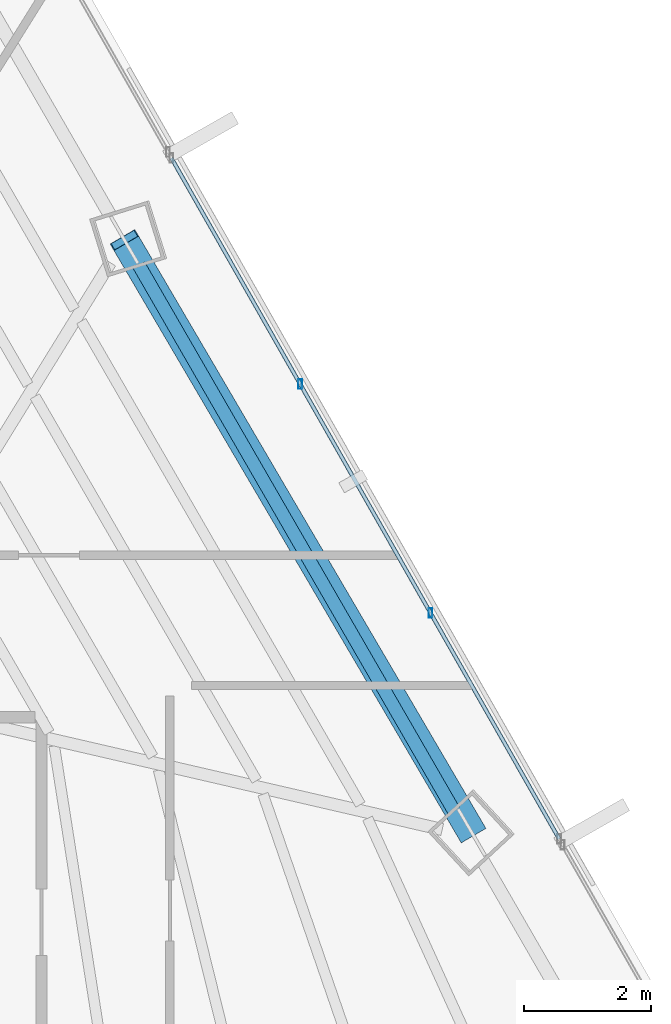
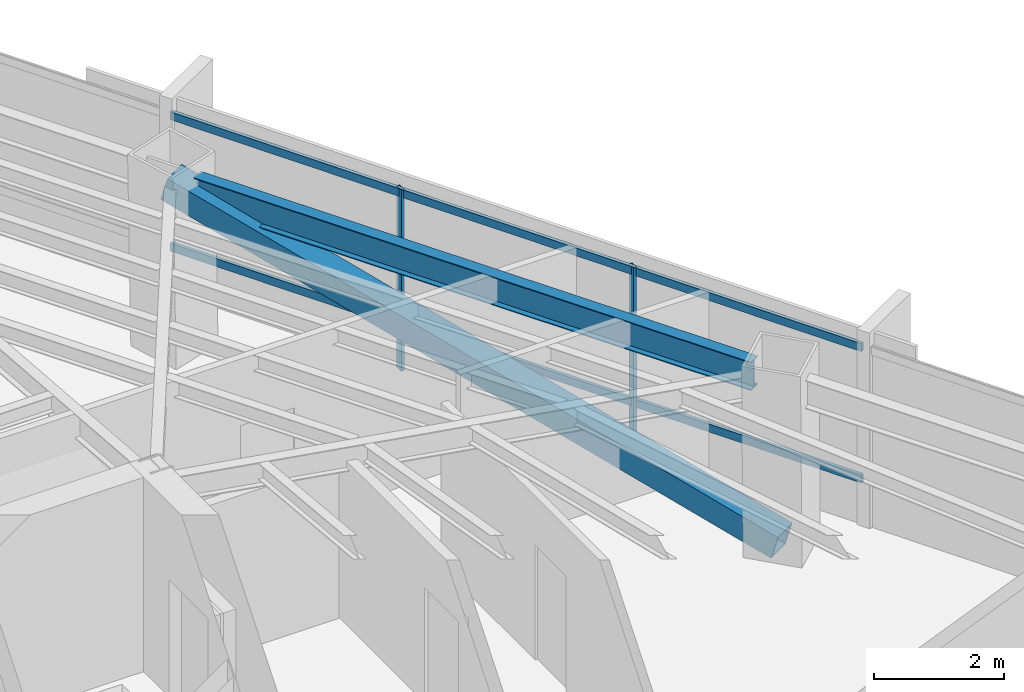
# One storey, part 25 of 39: 5 members, 1 beam, 1 element without a shape of its own.
"""IFC4 building model written with IfcOpenShell, lengths in metres."""

import ifcopenshell
import ifcopenshell.guid

model = None  # the IFC model being written
_history = None  # IfcOwnerHistory: only IFC2X3 demands one
_inside = {}  # id of a spatial element -> (the spatial element, [elements in it])
_under = {}  # id of a project, library or spatial element -> (it, [spatial elements below it])
_declared = {}  # id of a project -> (the project, [libraries it declares])
_typed = {}  # id of a type object -> (the type object, [elements of that type])
_made_of = {}  # id of a material, layer set ... -> (it, [elements and type objects made of it])


def new_model(schema):
    """Start an empty IFC model of exactly this schema.

    Asked for "IFC4X3", IfcOpenShell would pick the latest addendum, in which some entities
    have other attributes; the version numbers below select the first issue.
    IFC2X3 requires an IfcOwnerHistory on every rooted entity: one is made here for all.
    """
    global model, _history
    if schema == "IFC4X3":
        model = ifcopenshell.file(schema_version=(4, 3, 0, 0))
    else:
        model = ifcopenshell.file(schema=schema)
    _inside.clear()
    _under.clear()
    _declared.clear()
    _typed.clear()
    _made_of.clear()
    _history = None
    if model.schema == "IFC2X3":
        org = make("IfcOrganization", Name="unknown")
        user = make(
            "IfcPersonAndOrganization",
            ThePerson=make("IfcPerson", FamilyName="unknown"),
            TheOrganization=org,
        )
        app = make(
            "IfcApplication",
            ApplicationDeveloper=org,
            Version="unknown",
            ApplicationFullName="unknown",
            ApplicationIdentifier="unknown",
        )
        _history = make(
            "IfcOwnerHistory",
            OwningUser=user,
            OwningApplication=app,
            ChangeAction="ADDED",
            CreationDate=0,
        )
    return model


def make(cls, **values):
    """One entity of the class cls with the attributes given. An attribute that is None is left unset."""
    return model.create_entity(
        cls, **{name: value for name, value in values.items() if value is not None}
    )


def rooted(cls, **values):
    """An entity with a GlobalId (a new one), such as an element, a storey or a relation."""
    return make(cls, GlobalId=ifcopenshell.guid.new(), OwnerHistory=_history, **values)


def si_unit(unit_type, name, prefix=None):
    """IfcSIUnit, for example si_unit("LENGTHUNIT", "METRE", prefix="MILLI")."""
    return make("IfcSIUnit", UnitType=unit_type, Prefix=prefix, Name=name)


def assignment(units):
    """IfcUnitAssignment: the units of a project."""
    return None if units is None else make("IfcUnitAssignment", Units=units)


def point(xyz):
    """IfcCartesianPoint."""
    return None if xyz is None else make("IfcCartesianPoint", Coordinates=xyz)


def direction(xyz):
    """IfcDirection."""
    return None if xyz is None else make("IfcDirection", DirectionRatios=xyz)


def frame(location, z_axis=None, x_axis=None):
    """IfcAxis2Placement3D, a coordinate frame: its origin and axes. An axis left out is left unset."""
    return make(
        "IfcAxis2Placement3D",
        Location=point(location),
        Axis=direction(z_axis),
        RefDirection=direction(x_axis),
    )


def frame_2d(location, x_axis=None):
    """IfcAxis2Placement2D, a coordinate frame in the plane: its origin and x axis."""
    return make(
        "IfcAxis2Placement2D", Location=point(location), RefDirection=direction(x_axis)
    )


def origin():
    """The frame at (0, 0, 0) with its axes left unset."""
    return frame((0.0, 0.0, 0.0))


def origin_2d():
    """The frame at (0, 0) in the plane with its x axis left unset."""
    return frame_2d((0.0, 0.0))


def place(relative_to, where):
    """IfcLocalPlacement: puts the frame where relative to a parent placement (None: the world)."""
    return make(
        "IfcLocalPlacement", PlacementRelTo=relative_to, RelativePlacement=where
    )


def context(
    kind, dimensions, precision=None, world=None, true_north=None, identifier=None
):
    """IfcGeometricRepresentationContext, for example the 3D "Model" context."""
    return make(
        "IfcGeometricRepresentationContext",
        ContextIdentifier=identifier,
        ContextType=kind,
        CoordinateSpaceDimension=dimensions,
        Precision=precision,
        WorldCoordinateSystem=world,
        TrueNorth=true_north,
    )


def subcontext(parent, identifier, kind, view, scale=None):
    """IfcGeometricRepresentationSubContext, for example "Body" below "Model"."""
    return make(
        "IfcGeometricRepresentationSubContext",
        ContextIdentifier=identifier,
        ContextType=kind,
        ParentContext=parent,
        TargetScale=scale,
        TargetView=view,
    )


def project(units=None, contexts=None):
    """IfcProject with its units and contexts."""
    return rooted(
        "IfcProject",
        Name="project",
        RepresentationContexts=contexts,
        UnitsInContext=assignment(units),
    )


def spatial(cls, under=None, at=None, **own):
    """A site, building, storey or space (cls), placed at a placement, below another one or the project."""
    s = rooted(cls, ObjectPlacement=at, **own)
    if under is not None:
        _under.setdefault(under.id(), (under, []))[1].append(s)
    return s


def profile(cls, at=None, kind="AREA", **sizes):
    """A parametric profile (cls). Its sizes go by their IFC names, for example OverallWidth=200.0."""
    return make(cls, ProfileType=kind, Position=at, **sizes)


def hollow_rectangle(**sizes):
    """IfcRectangleHollowProfileDef."""
    return profile("IfcRectangleHollowProfileDef", **sizes)


def i_section(**sizes):
    """IfcIShapeProfileDef."""
    return profile("IfcIShapeProfileDef", **sizes)


def extrude(swept, where, along, depth):
    """IfcExtrudedAreaSolid: the profile swept, set in the frame where, extruded along a direction by depth."""
    return make(
        "IfcExtrudedAreaSolid",
        SweptArea=swept,
        Position=where,
        ExtrudedDirection=direction(along),
        Depth=depth,
    )


def shape(context_of_items, identifier, shape_type, items):
    """IfcShapeRepresentation: the items that make up one representation, for example the "Body"."""
    return make(
        "IfcShapeRepresentation",
        ContextOfItems=context_of_items,
        RepresentationIdentifier=identifier,
        RepresentationType=shape_type,
        Items=items,
    )


def source(mapping_origin, context_of_items, identifier, shape_type, items):
    """IfcRepresentationMap: a shape defined once, which mapped items show again and again."""
    return make(
        "IfcRepresentationMap",
        MappingOrigin=mapping_origin,
        MappedRepresentation=shape(context_of_items, identifier, shape_type, items),
    )


def transform(
    local_origin,
    x_axis=None,
    y_axis=None,
    z_axis=None,
    scale=None,
    scale2=None,
    scale3=None,
    uniform=True,
):
    """IfcCartesianTransformationOperator3D, or its non-uniform kind. x_axis, y_axis, z_axis: its Axis1, 2, 3."""
    if uniform:
        return make(
            "IfcCartesianTransformationOperator3D",
            Axis1=direction(x_axis),
            Axis2=direction(y_axis),
            LocalOrigin=point(local_origin),
            Scale=scale,
            Axis3=direction(z_axis),
        )
    return make(
        "IfcCartesianTransformationOperator3DnonUniform",
        Axis1=direction(x_axis),
        Axis2=direction(y_axis),
        LocalOrigin=point(local_origin),
        Scale=scale,
        Axis3=direction(z_axis),
        Scale2=scale2,
        Scale3=scale3,
    )


def mapped(mapping_source, mapping_target):
    """IfcMappedItem: shows the shape of a source again, moved by a transform."""
    return make(
        "IfcMappedItem", MappingSource=mapping_source, MappingTarget=mapping_target
    )


def material(Name=None, Category=None):
    """IfcMaterial."""
    return make("IfcMaterial", Name=Name, Category=Category)


def material_profile(
    of_material, cross_section, Name=None, Category=None, Priority=None
):
    """IfcMaterialProfile: a cross section and its material."""
    return make(
        "IfcMaterialProfile",
        Name=Name,
        Material=of_material,
        Profile=cross_section,
        Priority=Priority,
        Category=Category,
    )


def profile_set(profiles, Name=None, composite=None):
    """IfcMaterialProfileSet."""
    return make(
        "IfcMaterialProfileSet",
        Name=Name,
        MaterialProfiles=profiles,
        CompositeProfile=composite,
    )


def made_of(thing, what):
    """Note that an element or type object is made of a material, layer set ...; save() writes the relation."""
    if what is not None:
        _made_of.setdefault(what.id(), (what, []))[1].append(thing)
    return thing


def type_object(cls, material=None, **own):
    """A type object (cls), such as IfcWallType, which elements share."""
    return made_of(rooted(cls, **own), material)


def type_shapes(of_type, sources):
    """Give a type object the sources (RepresentationMaps) that its elements show as mapped items."""
    of_type.RepresentationMaps = sources


def element(
    cls,
    number,
    at=None,
    inside=None,
    cuts=None,
    type_object=None,
    material=None,
    context=None,
    identifier="Body",
    shape_type=None,
    held_by="IfcProductDefinitionShape",
    body=None,
    shapes=None,
    **own,
):
    """One element of the class cls, such as IfcWall. Its Tag is "e" and its number.

    at: its placement. inside: the storey or other place that contains it. cuts: it is an
    opening in that element (IfcRelVoidsElement). A single representation is given by context,
    identifier, shape_type and body (its items); several are given by shapes. held_by: the class
    of the entity that holds the representations. save() writes the other relations.
    """
    e = rooted(cls, Tag="e%d" % number, ObjectPlacement=at, **own)
    if body is not None:
        shapes = [shape(context, identifier, shape_type, body)]
    if shapes is not None:
        e.Representation = make(held_by, Representations=shapes)
    if inside is not None:
        _inside.setdefault(inside.id(), (inside, []))[1].append(e)
    if cuts is not None:
        rooted(
            "IfcRelVoidsElement", RelatingBuildingElement=cuts, RelatedOpeningElement=e
        )
    if type_object is not None:
        _typed.setdefault(type_object.id(), (type_object, []))[1].append(e)
    return made_of(e, material)


def aggregate(whole, parts):
    """IfcRelAggregates: a whole, such as a stair, and the parts it consists of."""
    return rooted("IfcRelAggregates", RelatingObject=whole, RelatedObjects=parts)


def save(model, path):
    """Write the relations noted so far, then the file.

    IfcRelAggregates (storeys below a building ...), IfcRelContainedInSpatialStructure (elements
    in a storey), IfcRelDefinesByType, IfcRelAssociatesMaterial and IfcRelDeclares: one each for
    every whole, place, type object, material and project.
    """
    for whole, parts in _under.values():
        aggregate(whole, parts)
    for where, things in _inside.values():
        rooted(
            "IfcRelContainedInSpatialStructure",
            RelatedElements=things,
            RelatingStructure=where,
        )
    for kind, things in _typed.values():
        rooted("IfcRelDefinesByType", RelatedObjects=things, RelatingType=kind)
    for what, things in _made_of.values():
        rooted("IfcRelAssociatesMaterial", RelatedObjects=things, RelatingMaterial=what)
    for by, libraries in _declared.values():
        rooted("IfcRelDeclares", RelatingContext=by, RelatedDefinitions=libraries)
    model.write(path)


model = new_model("IFC4")

# Units and contexts
model_context = context("Model", 3, precision=1e-05, world=origin(), true_north=direction((0.0, 1.0)))
body_context = subcontext(model_context, "Body", "Model", "MODEL_VIEW")
ifc_project = project(units=[si_unit("LENGTHUNIT", "METRE"), si_unit("AREAUNIT", "SQUARE_METRE"), si_unit("VOLUMEUNIT", "CUBIC_METRE"), si_unit("PLANEANGLEUNIT", "RADIAN"), si_unit("MASSUNIT", "GRAM", prefix="KILO")], contexts=[model_context])

# Site, building, storey
site_placement = place(None, origin())
site = spatial("IfcSite", under=ifc_project, at=site_placement, CompositionType="ELEMENT")
building_placement = place(site_placement, origin())
building = spatial("IfcBuilding", under=site, at=building_placement, Name="Caelisora Broadcast Tower", CompositionType="ELEMENT")
storey_placement = place(building_placement, frame((0.0, 0.0, 142.75)))
storey = spatial("IfcBuildingStorey", under=building, at=storey_placement, Name="L37", CompositionType="ELEMENT", Elevation=142.75)

# Beam
ifc_material_1 = material(Name="Steel Grade 350 (AS/NZS 3679.1)", Category="steel")
ifc_material_profile_1 = material_profile(ifc_material_1, i_section(OverallWidth=0.208984375, OverallDepth=0.532958984375, WebThickness=0.01025390625, FlangeThickness=0.015625, at=origin_2d()), Name="Steel Grade 350 (AS/NZS 3679.1)")
ifc_profile_set_1 = profile_set([ifc_material_profile_1], Name="Steel Grade 350 (AS/NZS 3679.1)")
beam_type = type_object("IfcBeamType", Name="PG05", PredefinedType="BEAM", material=ifc_profile_set_1)
shared_shape_1 = source(origin(), body_context, "Body", "SweptSolid", [
    extrude(i_section(OverallWidth=0.208984375, OverallDepth=0.532958984375, WebThickness=0.01025390625, FlangeThickness=0.015625, at=origin_2d()), origin(), (0.0, 0.0, 1.0), 9.9013671875),
])
type_shapes(beam_type, [shared_shape_1])
beam_placement = place(storey_placement, frame((55.065185546875, 28.135986328125, 3.133544921875), z_axis=(-0.499994942134, 0.866028323925, 0.0), x_axis=(-0.866028323925, -0.499994942134, 0.0)))
element("IfcBeam", 1, at=beam_placement, inside=storey, type_object=beam_type, Name="L37 beam PG05", PredefinedType="BEAM", context=body_context, shape_type="MappedRepresentation", body=[
    mapped(shared_shape_1, transform((0.0, 0.0, 0.0), scale=1.0)),
])

# Member
ifc_material_2 = material(Name="Steel Grade 450 (AS/NZS 1163 C450L0)", Category="steel")
ifc_material_profile_2 = material_profile(ifc_material_2, hollow_rectangle(XDim=0.449951171875, YDim=0.449951171875, WallThickness=0.01611328125, at=origin_2d()), Name="Steel Grade 450 (AS/NZS 1163 C450L0)")
ifc_profile_set_2 = profile_set([ifc_material_profile_2], Name="Steel Grade 450 (AS/NZS 1163 C450L0)")
member_type_1 = type_object("IfcMemberType", Name="BR03", PredefinedType="BRACE", material=ifc_profile_set_2)
shared_shape_2 = source(origin(), body_context, "Body", "SweptSolid", [
    extrude(hollow_rectangle(XDim=0.449951171875, YDim=0.449951171875, WallThickness=0.01611328125, at=origin_2d()), origin(), (0.0, 0.0, 1.0), 11.214111328125),
])
type_shapes(member_type_1, [shared_shape_2])
member_1_placement = place(storey_placement, frame((55.349609375, 27.787841796875, 0.10009765625), z_axis=(-0.487336625311, 0.831226253785, 0.26751809032), x_axis=(-0.862668056305, -0.505770525664, 0.0)))
element("IfcMember", 2, at=member_1_placement, inside=storey, type_object=member_type_1, Name="L37 perimeter brace BR03", PredefinedType="BRACE", context=body_context, shape_type="MappedRepresentation", body=[
    mapped(shared_shape_2, transform((0.0, 0.0, 0.0), scale=1.0)),
])

# Curtain wall, members
ifc_material_3 = material(Name="Unitised Aluminium Insulated Shadow-Box Spandrel Curtain Wall", Category="aluminium")
curtain_wall_type = type_object("IfcCurtainWallType", Name="CW-SP2", PredefinedType="NOTDEFINED", material=ifc_material_3)
curtain_wall_placement = place(storey_placement, origin())
curtain_wall = element("IfcCurtainWall", 3, at=curtain_wall_placement, inside=storey, type_object=curtain_wall_type, Name="L37 curtain wall CW-SP2", PredefinedType="NOTDEFINED")
ifc_material_4 = material(Name="Aluminium 6063-T6 Anodised Terracotta Bronze", Category="aluminium")
ifc_material_profile_3 = material_profile(ifc_material_4, hollow_rectangle(XDim=0.06005859375, YDim=0.14990234375, WallThickness=0.00341796875, at=origin_2d()), Name="Aluminium 6063-T6 Anodised Terracotta Bronze")
ifc_profile_set_3 = profile_set([ifc_material_profile_3], Name="Aluminium 6063-T6 Anodised Terracotta Bronze")
member_type_2 = type_object("IfcMemberType", Name="CWM-03", PredefinedType="MULLION", material=ifc_profile_set_3)
shared_shape_3 = source(origin(), body_context, "Body", "SweptSolid", [
    extrude(hollow_rectangle(XDim=0.06005859375, YDim=0.14990234375, WallThickness=0.00341796875, at=origin_2d()), origin(), (0.0, 0.0, 1.0), 3.39990234375),
])
type_shapes(member_type_2, [shared_shape_3])
member_2_placement = place(storey_placement, frame((52.650390625, 34.84228515625, 0.0), z_axis=(0.0, 0.0, 1.0), x_axis=(1.0, 0.0, 0.0)))
member_2 = element("IfcMember", 4, at=member_2_placement, type_object=member_type_2, Name="L37-CW-B02 mullion #1", PredefinedType="MULLION", context=body_context, shape_type="MappedRepresentation", body=[
    mapped(shared_shape_3, transform((0.0, 0.0, 0.0), scale=1.0)),
])
member_3_placement = place(storey_placement, frame((54.70068359375, 31.242431640625, 0.0), z_axis=(0.0, 0.0, 1.0), x_axis=(1.0, 0.0, 0.0)))
member_3 = element("IfcMember", 5, at=member_3_placement, type_object=member_type_2, Name="L37-CW-B02 mullion #2", PredefinedType="MULLION", context=body_context, shape_type="MappedRepresentation", body=[
    mapped(shared_shape_3, transform((0.0, 0.0, 0.0), scale=1.0)),
])
ifc_material_profile_4 = material_profile(ifc_material_4, hollow_rectangle(XDim=0.06005859375, YDim=0.14990234375, WallThickness=0.00341796875, at=origin_2d()), Name="Aluminium 6063-T6 Anodised Terracotta Bronze")
ifc_profile_set_4 = profile_set([ifc_material_profile_4], Name="Aluminium 6063-T6 Anodised Terracotta Bronze")
member_type_3 = type_object("IfcMemberType", Name="CWT-02", PredefinedType="USERDEFINED", material=ifc_profile_set_4)
shared_shape_4 = source(origin(), body_context, "Body", "SweptSolid", [
    extrude(hollow_rectangle(XDim=0.06005859375, YDim=0.14990234375, WallThickness=0.00341796875, at=origin_2d()), origin(), (0.0, 0.0, 1.0), 12.32861328125),
])
type_shapes(member_type_3, [shared_shape_4])
member_4_placement = place(storey_placement, frame((50.625, 38.39892578125, 0.85009765625), z_axis=(0.494886594163, -0.868957570263, 0.0), x_axis=(0.868957570263, 0.494886594163, 0.0)))
member_4 = element("IfcMember", 6, at=member_4_placement, type_object=member_type_3, Name="L37-CW-B02 transom #1", ObjectType="TRANSOM", PredefinedType="USERDEFINED", context=body_context, shape_type="MappedRepresentation", body=[
    mapped(shared_shape_4, transform((0.0, 0.0, 0.0), scale=1.0)),
])
member_5_placement = place(storey_placement, frame((50.625, 38.39892578125, 3.320068359375), z_axis=(0.494886594163, -0.868957570263, 0.0), x_axis=(0.868957570263, 0.494886594163, 0.0)))
member_5 = element("IfcMember", 7, at=member_5_placement, type_object=member_type_3, Name="L37-CW-B02 transom #2", ObjectType="TRANSOM", PredefinedType="USERDEFINED", context=body_context, shape_type="MappedRepresentation", body=[
    mapped(shared_shape_4, transform((0.0, 0.0, 0.0), scale=1.0)),
])
aggregate(curtain_wall, [member_2, member_3, member_4, member_5])

save(model, "model.ifc")
